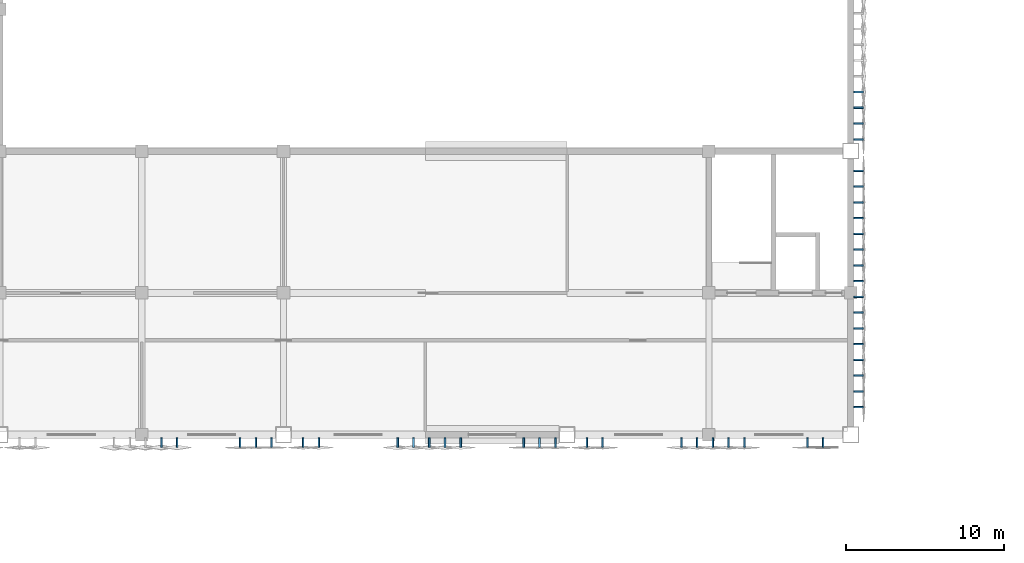
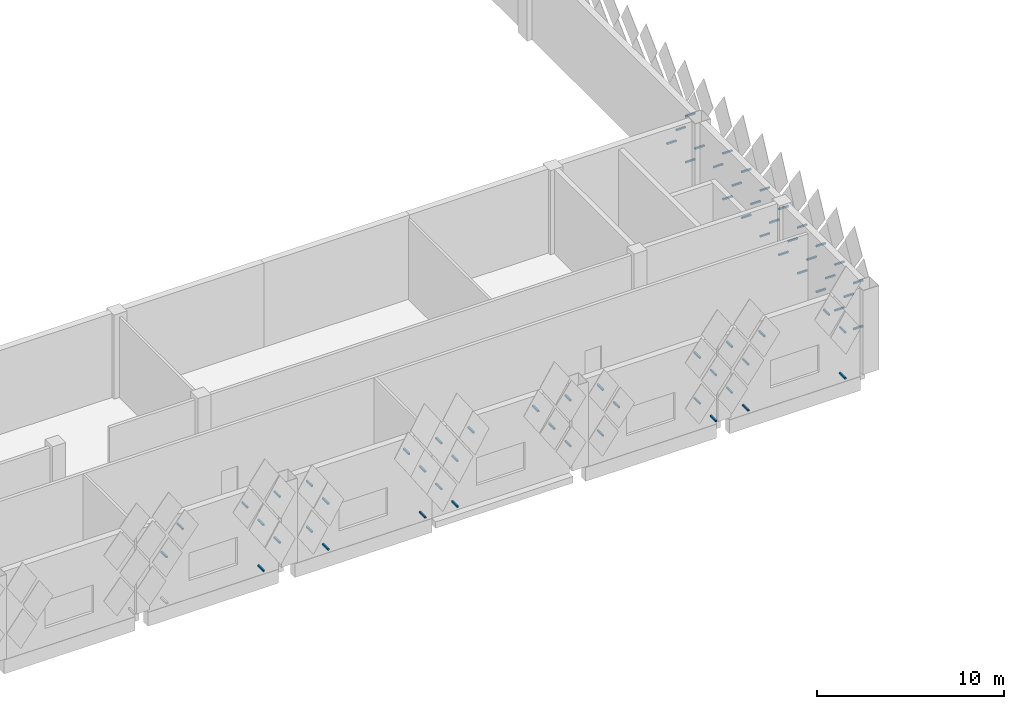
# One storey, part 142 of 185: 67 discrete accessories.
"""IFC4 building model written with IfcOpenShell, lengths in metres."""

from ifc_helpers import new_model, si_unit, direction, frame, origin, place, context, subcontext, project, spatial, polyline, outline, extrude, material, type_object, element, save


model = new_model("IFC4")

# Units and contexts
model_context = context("Model", 3, precision=1e-05, world=origin(), true_north=direction((0.0, 1.0)))
body_context = subcontext(model_context, "Body", "Model", "MODEL_VIEW")
ifc_project = project(units=[si_unit("LENGTHUNIT", "METRE"), si_unit("AREAUNIT", "SQUARE_METRE"), si_unit("VOLUMEUNIT", "CUBIC_METRE"), si_unit("PLANEANGLEUNIT", "RADIAN"), si_unit("MASSUNIT", "GRAM", prefix="KILO")], contexts=[model_context])

# Site, building, storey
site_placement = place(None, origin())
site = spatial("IfcSite", under=ifc_project, at=site_placement, CompositionType="ELEMENT")
building_placement = place(site_placement, origin())
building = spatial("IfcBuilding", under=site, at=building_placement, Name="Opaline Strait Convention Centre", CompositionType="ELEMENT")
storey_placement = place(building_placement, frame((0.0, 0.0, 6.0)))
storey = spatial("IfcBuildingStorey", under=building, at=storey_placement, Name="L01", CompositionType="ELEMENT", Elevation=6.0)

# Discrete accessories
ifc_material = material(Name="Steel Q355B", Category="steel")
discrete_accessory_type = type_object("IfcDiscreteAccessoryType", Name="Tile bracket 100x100 steel", PredefinedType="BRACKET", material=ifc_material)
discrete_accessory_1_placement = place(storey_placement, frame((223.199951171875, 53.800048828125, 0.39208984375), z_axis=(1.0, 0.0, 0.0), x_axis=(0.0, 1.0, 0.0)))
element("IfcDiscreteAccessory", 1, at=discrete_accessory_1_placement, inside=storey, type_object=discrete_accessory_type, Name="Tile bracket XT05 S", PredefinedType="BRACKET", context=body_context, shape_type="SweptSolid", body=[
    extrude(outline(polyline([(0.0, -0.050048828125), (0.0, 0.050048828125), (-0.597900390625, 0.050048828125), (-0.602294921875, -0.050048828125), (0.0, -0.050048828125)])), origin(), (0.0, 0.0, 1.0), 0.10009765625),
])
discrete_accessory_2_placement = place(storey_placement, frame((227.199951171875, 53.800048828125, 0.39208984375), z_axis=(1.0, 0.0, 0.0), x_axis=(0.0, 1.0, 0.0)))
element("IfcDiscreteAccessory", 2, at=discrete_accessory_2_placement, inside=storey, type_object=discrete_accessory_type, Name="Tile bracket XT12 S", PredefinedType="BRACKET", context=body_context, shape_type="SweptSolid", body=[
    extrude(outline(polyline([(0.0, -0.050048828125), (0.0, 0.050048828125), (-0.5947265625, 0.050048828125), (-0.605224609375, -0.050048828125), (0.0, -0.050048828125)])), origin(), (0.0, 0.0, 1.0), 0.10009765625),
])
discrete_accessory_3_placement = place(storey_placement, frame((233.199951171875, 53.800048828125, 0.39208984375), z_axis=(1.0, 0.0, 0.0), x_axis=(0.0, 1.0, 0.0)))
element("IfcDiscreteAccessory", 3, at=discrete_accessory_3_placement, inside=storey, type_object=discrete_accessory_type, Name="Tile bracket XT10 S", PredefinedType="BRACKET", context=body_context, shape_type="SweptSolid", body=[
    extrude(outline(polyline([(0.0, -0.050048828125), (0.0, 0.050048828125), (-0.595703125, 0.050048828125), (-0.604248046875, -0.050048828125), (0.0, -0.050048828125)])), origin(), (0.0, 0.0, 1.0), 0.10009765625),
])
discrete_accessory_4_placement = place(storey_placement, frame((235.199951171875, 53.800048828125, 0.39208984375), z_axis=(1.0, 0.0, 0.0), x_axis=(0.0, 1.0, 0.0)))
element("IfcDiscreteAccessory", 4, at=discrete_accessory_4_placement, inside=storey, type_object=discrete_accessory_type, Name="Tile bracket XT06 S", PredefinedType="BRACKET", context=body_context, shape_type="SweptSolid", body=[
    extrude(outline(polyline([(0.0, -0.050048828125), (0.0, 0.050048828125), (-0.597412109375, 0.050048828125), (-0.6025390625, -0.050048828125), (0.0, -0.050048828125)])), origin(), (0.0, 0.0, 1.0), 0.10009765625),
])
discrete_accessory_5_placement = place(storey_placement, frame((251.199951171875, 53.800048828125, 0.39208984375), z_axis=(1.0, 0.0, 0.0), x_axis=(0.0, 1.0, 0.0)))
element("IfcDiscreteAccessory", 5, at=discrete_accessory_5_placement, inside=storey, type_object=discrete_accessory_type, Name="Tile bracket XT07 S", PredefinedType="BRACKET", context=body_context, shape_type="SweptSolid", body=[
    extrude(outline(polyline([(0.0, -0.050048828125), (0.0, 0.050048828125), (-0.60302734375, 0.050048828125), (-0.596923828125, -0.050048828125), (0.0, -0.050048828125)])), origin(), (0.0, 0.0, 1.0), 0.10009765625),
])
discrete_accessory_6_placement = place(storey_placement, frame((253.199951171875, 53.800048828125, 0.39208984375), z_axis=(1.0, 0.0, 0.0), x_axis=(0.0, 1.0, 0.0)))
element("IfcDiscreteAccessory", 6, at=discrete_accessory_6_placement, inside=storey, type_object=discrete_accessory_type, Name="Tile bracket XT05 S", PredefinedType="BRACKET", context=body_context, shape_type="SweptSolid", body=[
    extrude(outline(polyline([(0.0, -0.050048828125), (0.0, 0.050048828125), (-0.602294921875, 0.050048828125), (-0.597900390625, -0.050048828125), (0.0, -0.050048828125)])), origin(), (0.0, 0.0, 1.0), 0.10009765625),
])
discrete_accessory_7_placement = place(storey_placement, frame((259.199951171875, 53.800048828125, 0.39208984375), z_axis=(1.0, 0.0, 0.0), x_axis=(0.0, 1.0, 0.0)))
element("IfcDiscreteAccessory", 7, at=discrete_accessory_7_placement, inside=storey, type_object=discrete_accessory_type, Name="Tile bracket XT02 S", PredefinedType="BRACKET", context=body_context, shape_type="SweptSolid", body=[
    extrude(outline(polyline([(0.0, -0.050048828125), (0.0, 0.050048828125), (-0.59912109375, 0.050048828125), (-0.600830078125, -0.050048828125), (0.0, -0.050048828125)])), origin(), (0.0, 0.0, 1.0), 0.10009765625),
])
discrete_accessory_8_placement = place(storey_placement, frame((224.199951171875, 53.800048828125, 1.89208984375), z_axis=(1.0, 0.0, 0.0), x_axis=(0.0, 1.0, 0.0)))
element("IfcDiscreteAccessory", 8, at=discrete_accessory_8_placement, inside=storey, type_object=discrete_accessory_type, Name="Tile bracket XT05 S", PredefinedType="BRACKET", context=body_context, shape_type="SweptSolid", body=[
    extrude(outline(polyline([(0.0, -0.050048828125), (0.0, 0.050048828125), (-0.597900390625, 0.050048828125), (-0.602294921875, -0.050048828125), (0.0, -0.050048828125)])), origin(), (0.0, 0.0, 1.0), 0.10009765625),
])
for number, where, z_axis, x_axis, name in (
    (9, (226.199951171875, 53.800048828125, 1.89208984375), (1.0, 0.0, 0.0), (0.0, 1.0, 0.0), "Tile bracket XT09 S"),
    (10, (234.199951171875, 53.800048828125, 1.89208984375), (1.0, 0.0, 0.0), (0.0, 1.0, 0.0), "Tile bracket XT09 S"),
):
    element("IfcDiscreteAccessory", number, at=place(storey_placement, frame(where, z_axis=z_axis, x_axis=x_axis)), inside=storey, type_object=discrete_accessory_type, Name=name, PredefinedType="BRACKET", context=body_context, shape_type="SweptSolid", body=[
        extrude(outline(polyline([(0.0, -0.050048828125), (0.0, 0.050048828125), (-0.595947265625, 0.050048828125), (-0.60400390625, -0.050048828125), (0.0, -0.050048828125)])), origin(), (0.0, 0.0, 1.0), 0.10009765625),
    ])
discrete_accessory_9_placement = place(storey_placement, frame((242.199951171875, 53.800048828125, 1.89208984375), z_axis=(1.0, 0.0, 0.0), x_axis=(0.0, 1.0, 0.0)))
element("IfcDiscreteAccessory", 11, at=discrete_accessory_9_placement, inside=storey, type_object=discrete_accessory_type, Name="Tile bracket XT04 S", PredefinedType="BRACKET", context=body_context, shape_type="SweptSolid", body=[
    extrude(outline(polyline([(0.0, -0.050048828125), (0.0, 0.050048828125), (-0.601806640625, 0.050048828125), (-0.59814453125, -0.050048828125), (0.0, -0.050048828125)])), origin(), (0.0, 0.0, 1.0), 0.10009765625),
])
discrete_accessory_10_placement = place(storey_placement, frame((244.199951171875, 53.800048828125, 1.89208984375), z_axis=(1.0, 0.0, 0.0), x_axis=(0.0, 1.0, 0.0)))
element("IfcDiscreteAccessory", 12, at=discrete_accessory_10_placement, inside=storey, type_object=discrete_accessory_type, Name="Tile bracket XT07 S", PredefinedType="BRACKET", context=body_context, shape_type="SweptSolid", body=[
    extrude(outline(polyline([(0.0, -0.050048828125), (0.0, 0.050048828125), (-0.60302734375, 0.050048828125), (-0.596923828125, -0.050048828125), (0.0, -0.050048828125)])), origin(), (0.0, 0.0, 1.0), 0.10009765625),
])
discrete_accessory_11_placement = place(storey_placement, frame((250.199951171875, 53.800048828125, 1.89208984375), z_axis=(1.0, 0.0, 0.0), x_axis=(0.0, 1.0, 0.0)))
element("IfcDiscreteAccessory", 13, at=discrete_accessory_11_placement, inside=storey, type_object=discrete_accessory_type, Name="Tile bracket XT08 S", PredefinedType="BRACKET", context=body_context, shape_type="SweptSolid", body=[
    extrude(outline(polyline([(0.0, -0.050048828125), (0.0, 0.050048828125), (-0.603515625, 0.050048828125), (-0.596435546875, -0.050048828125), (0.0, -0.050048828125)])), origin(), (0.0, 0.0, 1.0), 0.10009765625),
])
discrete_accessory_12_placement = place(storey_placement, frame((252.199951171875, 53.800048828125, 1.89208984375), z_axis=(1.0, 0.0, 0.0), x_axis=(0.0, 1.0, 0.0)))
element("IfcDiscreteAccessory", 14, at=discrete_accessory_12_placement, inside=storey, type_object=discrete_accessory_type, Name="Tile bracket XT07 S", PredefinedType="BRACKET", context=body_context, shape_type="SweptSolid", body=[
    extrude(outline(polyline([(0.0, -0.050048828125), (0.0, 0.050048828125), (-0.60302734375, 0.050048828125), (-0.596923828125, -0.050048828125), (0.0, -0.050048828125)])), origin(), (0.0, 0.0, 1.0), 0.10009765625),
])
discrete_accessory_13_placement = place(storey_placement, frame((217.199951171875, 53.800048828125, 3.39208984375), z_axis=(1.0, 0.0, 0.0), x_axis=(0.0, 1.0, 0.0)))
element("IfcDiscreteAccessory", 15, at=discrete_accessory_13_placement, inside=storey, type_object=discrete_accessory_type, Name="Tile bracket XT12 S", PredefinedType="BRACKET", context=body_context, shape_type="SweptSolid", body=[
    extrude(outline(polyline([(0.0, -0.050048828125), (0.0, 0.050048828125), (-0.605224609375, 0.050048828125), (-0.5947265625, -0.050048828125), (0.0, -0.050048828125)])), origin(), (0.0, 0.0, 1.0), 0.10009765625),
])
discrete_accessory_14_placement = place(storey_placement, frame((223.199951171875, 53.800048828125, 3.39208984375), z_axis=(1.0, 0.0, 0.0), x_axis=(0.0, 1.0, 0.0)))
element("IfcDiscreteAccessory", 16, at=discrete_accessory_14_placement, inside=storey, type_object=discrete_accessory_type, Name="Tile bracket XT05 S", PredefinedType="BRACKET", context=body_context, shape_type="SweptSolid", body=[
    extrude(outline(polyline([(0.0, -0.050048828125), (0.0, 0.050048828125), (-0.597900390625, 0.050048828125), (-0.602294921875, -0.050048828125), (0.0, -0.050048828125)])), origin(), (0.0, 0.0, 1.0), 0.10009765625),
])
discrete_accessory_15_placement = place(storey_placement, frame((227.199951171875, 53.800048828125, 3.39208984375), z_axis=(1.0, 0.0, 0.0), x_axis=(0.0, 1.0, 0.0)))
element("IfcDiscreteAccessory", 17, at=discrete_accessory_15_placement, inside=storey, type_object=discrete_accessory_type, Name="Tile bracket XT09 S", PredefinedType="BRACKET", context=body_context, shape_type="SweptSolid", body=[
    extrude(outline(polyline([(0.0, -0.050048828125), (0.0, 0.050048828125), (-0.595947265625, 0.050048828125), (-0.60400390625, -0.050048828125), (0.0, -0.050048828125)])), origin(), (0.0, 0.0, 1.0), 0.10009765625),
])
discrete_accessory_16_placement = place(storey_placement, frame((233.199951171875, 53.800048828125, 3.39208984375), z_axis=(1.0, 0.0, 0.0), x_axis=(0.0, 1.0, 0.0)))
element("IfcDiscreteAccessory", 18, at=discrete_accessory_16_placement, inside=storey, type_object=discrete_accessory_type, Name="Tile bracket XT12 S", PredefinedType="BRACKET", context=body_context, shape_type="SweptSolid", body=[
    extrude(outline(polyline([(0.0, -0.050048828125), (0.0, 0.050048828125), (-0.5947265625, 0.050048828125), (-0.605224609375, -0.050048828125), (0.0, -0.050048828125)])), origin(), (0.0, 0.0, 1.0), 0.10009765625),
])
discrete_accessory_17_placement = place(storey_placement, frame((235.199951171875, 53.800048828125, 3.39208984375), z_axis=(1.0, 0.0, 0.0), x_axis=(0.0, 1.0, 0.0)))
element("IfcDiscreteAccessory", 19, at=discrete_accessory_17_placement, inside=storey, type_object=discrete_accessory_type, Name="Tile bracket XT09 S", PredefinedType="BRACKET", context=body_context, shape_type="SweptSolid", body=[
    extrude(outline(polyline([(0.0, -0.050048828125), (0.0, 0.050048828125), (-0.595947265625, 0.050048828125), (-0.60400390625, -0.050048828125), (0.0, -0.050048828125)])), origin(), (0.0, 0.0, 1.0), 0.10009765625),
])
discrete_accessory_18_placement = place(storey_placement, frame((241.199951171875, 53.800048828125, 3.39208984375), z_axis=(1.0, 0.0, 0.0), x_axis=(0.0, 1.0, 0.0)))
element("IfcDiscreteAccessory", 20, at=discrete_accessory_18_placement, inside=storey, type_object=discrete_accessory_type, Name="Tile bracket XT04 S", PredefinedType="BRACKET", context=body_context, shape_type="SweptSolid", body=[
    extrude(outline(polyline([(0.0, -0.050048828125), (0.0, 0.050048828125), (-0.601806640625, 0.050048828125), (-0.59814453125, -0.050048828125), (0.0, -0.050048828125)])), origin(), (0.0, 0.0, 1.0), 0.10009765625),
])
discrete_accessory_19_placement = place(storey_placement, frame((245.199951171875, 53.800048828125, 3.39208984375), z_axis=(1.0, 0.0, 0.0), x_axis=(0.0, 1.0, 0.0)))
element("IfcDiscreteAccessory", 21, at=discrete_accessory_19_placement, inside=storey, type_object=discrete_accessory_type, Name="Tile bracket XT06 S", PredefinedType="BRACKET", context=body_context, shape_type="SweptSolid", body=[
    extrude(outline(polyline([(0.0, -0.050048828125), (0.0, 0.050048828125), (-0.6025390625, 0.050048828125), (-0.597412109375, -0.050048828125), (0.0, -0.050048828125)])), origin(), (0.0, 0.0, 1.0), 0.10009765625),
])
discrete_accessory_20_placement = place(storey_placement, frame((251.199951171875, 53.800048828125, 3.39208984375), z_axis=(1.0, 0.0, 0.0), x_axis=(0.0, 1.0, 0.0)))
element("IfcDiscreteAccessory", 22, at=discrete_accessory_20_placement, inside=storey, type_object=discrete_accessory_type, Name="Tile bracket XT08 S", PredefinedType="BRACKET", context=body_context, shape_type="SweptSolid", body=[
    extrude(outline(polyline([(0.0, -0.050048828125), (0.0, 0.050048828125), (-0.603515625, 0.050048828125), (-0.596435546875, -0.050048828125), (0.0, -0.050048828125)])), origin(), (0.0, 0.0, 1.0), 0.10009765625),
])
discrete_accessory_21_placement = place(storey_placement, frame((253.199951171875, 53.800048828125, 3.39208984375), z_axis=(1.0, 0.0, 0.0), x_axis=(0.0, 1.0, 0.0)))
element("IfcDiscreteAccessory", 23, at=discrete_accessory_21_placement, inside=storey, type_object=discrete_accessory_type, Name="Tile bracket XT07 S", PredefinedType="BRACKET", context=body_context, shape_type="SweptSolid", body=[
    extrude(outline(polyline([(0.0, -0.050048828125), (0.0, 0.050048828125), (-0.60302734375, 0.050048828125), (-0.596923828125, -0.050048828125), (0.0, -0.050048828125)])), origin(), (0.0, 0.0, 1.0), 0.10009765625),
])
discrete_accessory_22_placement = place(storey_placement, frame((259.199951171875, 53.800048828125, 3.39208984375), z_axis=(1.0, 0.0, 0.0), x_axis=(0.0, 1.0, 0.0)))
element("IfcDiscreteAccessory", 24, at=discrete_accessory_22_placement, inside=storey, type_object=discrete_accessory_type, Name="Tile bracket XT02 S", PredefinedType="BRACKET", context=body_context, shape_type="SweptSolid", body=[
    extrude(outline(polyline([(0.0, -0.050048828125), (0.0, 0.050048828125), (-0.59912109375, 0.050048828125), (-0.600830078125, -0.050048828125), (0.0, -0.050048828125)])), origin(), (0.0, 0.0, 1.0), 0.10009765625),
])
discrete_accessory_23_placement = place(storey_placement, frame((218.199951171875, 53.800048828125, 4.89208984375), z_axis=(1.0, 0.0, 0.0), x_axis=(0.0, 1.0, 0.0)))
element("IfcDiscreteAccessory", 25, at=discrete_accessory_23_placement, inside=storey, type_object=discrete_accessory_type, Name="Tile bracket XT12 S", PredefinedType="BRACKET", context=body_context, shape_type="SweptSolid", body=[
    extrude(outline(polyline([(0.0, -0.050048828125), (0.0, 0.050048828125), (-0.605224609375, 0.050048828125), (-0.5947265625, -0.050048828125), (0.0, -0.050048828125)])), origin(), (0.0, 0.0, 1.0), 0.10009765625),
])
discrete_accessory_24_placement = place(storey_placement, frame((222.199951171875, 53.800048828125, 4.89208984375), z_axis=(1.0, 0.0, 0.0), x_axis=(0.0, 1.0, 0.0)))
element("IfcDiscreteAccessory", 26, at=discrete_accessory_24_placement, inside=storey, type_object=discrete_accessory_type, Name="Tile bracket XT05 S", PredefinedType="BRACKET", context=body_context, shape_type="SweptSolid", body=[
    extrude(outline(polyline([(0.0, -0.050048828125), (0.0, 0.050048828125), (-0.602294921875, 0.050048828125), (-0.597900390625, -0.050048828125), (0.0, -0.050048828125)])), origin(), (0.0, 0.0, 1.0), 0.10009765625),
])
for number, where, z_axis, x_axis, name in (
    (27, (224.199951171875, 53.800048828125, 4.89208984375), (1.0, 0.0, 0.0), (0.0, 1.0, 0.0), "Tile bracket XT05 S"),
    (28, (226.199951171875, 53.800048828125, 4.89208984375), (1.0, 0.0, 0.0), (0.0, 1.0, 0.0), "Tile bracket XT05 S"),
):
    element("IfcDiscreteAccessory", number, at=place(storey_placement, frame(where, z_axis=z_axis, x_axis=x_axis)), inside=storey, type_object=discrete_accessory_type, Name=name, PredefinedType="BRACKET", context=body_context, shape_type="SweptSolid", body=[
        extrude(outline(polyline([(0.0, -0.050048828125), (0.0, 0.050048828125), (-0.597900390625, 0.050048828125), (-0.602294921875, -0.050048828125), (0.0, -0.050048828125)])), origin(), (0.0, 0.0, 1.0), 0.10009765625),
    ])
discrete_accessory_25_placement = place(storey_placement, frame((232.199951171875, 53.800048828125, 4.89208984375), z_axis=(1.0, 0.0, 0.0), x_axis=(0.0, 1.0, 0.0)))
element("IfcDiscreteAccessory", 29, at=discrete_accessory_25_placement, inside=storey, type_object=discrete_accessory_type, Name="Tile bracket XT12 S", PredefinedType="BRACKET", context=body_context, shape_type="SweptSolid", body=[
    extrude(outline(polyline([(0.0, -0.050048828125), (0.0, 0.050048828125), (-0.5947265625, 0.050048828125), (-0.605224609375, -0.050048828125), (0.0, -0.050048828125)])), origin(), (0.0, 0.0, 1.0), 0.10009765625),
])
discrete_accessory_26_placement = place(storey_placement, frame((234.199951171875, 53.800048828125, 4.89208984375), z_axis=(1.0, 0.0, 0.0), x_axis=(0.0, 1.0, 0.0)))
element("IfcDiscreteAccessory", 30, at=discrete_accessory_26_placement, inside=storey, type_object=discrete_accessory_type, Name="Tile bracket XT11 S", PredefinedType="BRACKET", context=body_context, shape_type="SweptSolid", body=[
    extrude(outline(polyline([(0.0, -0.050048828125), (0.0, 0.050048828125), (-0.59521484375, 0.050048828125), (-0.604736328125, -0.050048828125), (0.0, -0.050048828125)])), origin(), (0.0, 0.0, 1.0), 0.10009765625),
])
discrete_accessory_27_placement = place(storey_placement, frame((236.199951171875, 53.800048828125, 4.89208984375), z_axis=(1.0, 0.0, 0.0), x_axis=(0.0, 1.0, 0.0)))
element("IfcDiscreteAccessory", 31, at=discrete_accessory_27_placement, inside=storey, type_object=discrete_accessory_type, Name="Tile bracket XT09 S", PredefinedType="BRACKET", context=body_context, shape_type="SweptSolid", body=[
    extrude(outline(polyline([(0.0, -0.050048828125), (0.0, 0.050048828125), (-0.595947265625, 0.050048828125), (-0.60400390625, -0.050048828125), (0.0, -0.050048828125)])), origin(), (0.0, 0.0, 1.0), 0.10009765625),
])
discrete_accessory_28_placement = place(storey_placement, frame((240.199951171875, 53.800048828125, 4.89208984375), z_axis=(1.0, 0.0, 0.0), x_axis=(0.0, 1.0, 0.0)))
element("IfcDiscreteAccessory", 32, at=discrete_accessory_28_placement, inside=storey, type_object=discrete_accessory_type, Name="Tile bracket XT04 S", PredefinedType="BRACKET", context=body_context, shape_type="SweptSolid", body=[
    extrude(outline(polyline([(0.0, -0.050048828125), (0.0, 0.050048828125), (-0.59814453125, 0.050048828125), (-0.601806640625, -0.050048828125), (0.0, -0.050048828125)])), origin(), (0.0, 0.0, 1.0), 0.10009765625),
])
for number, where, z_axis, x_axis, name in (
    (33, (242.199951171875, 53.800048828125, 4.89208984375), (1.0, 0.0, 0.0), (0.0, 1.0, 0.0), "Tile bracket XT04 S"),
    (34, (244.199951171875, 53.800048828125, 4.89208984375), (1.0, 0.0, 0.0), (0.0, 1.0, 0.0), "Tile bracket XT04 S"),
):
    element("IfcDiscreteAccessory", number, at=place(storey_placement, frame(where, z_axis=z_axis, x_axis=x_axis)), inside=storey, type_object=discrete_accessory_type, Name=name, PredefinedType="BRACKET", context=body_context, shape_type="SweptSolid", body=[
        extrude(outline(polyline([(0.0, -0.050048828125), (0.0, 0.050048828125), (-0.601806640625, 0.050048828125), (-0.59814453125, -0.050048828125), (0.0, -0.050048828125)])), origin(), (0.0, 0.0, 1.0), 0.10009765625),
    ])
for number, where, z_axis, x_axis, name in (
    (35, (250.199951171875, 53.800048828125, 4.89208984375), (1.0, 0.0, 0.0), (0.0, 1.0, 0.0), "Tile bracket XT08 S"),
    (36, (252.199951171875, 53.800048828125, 4.89208984375), (1.0, 0.0, 0.0), (0.0, 1.0, 0.0), "Tile bracket XT08 S"),
):
    element("IfcDiscreteAccessory", number, at=place(storey_placement, frame(where, z_axis=z_axis, x_axis=x_axis)), inside=storey, type_object=discrete_accessory_type, Name=name, PredefinedType="BRACKET", context=body_context, shape_type="SweptSolid", body=[
        extrude(outline(polyline([(0.0, -0.050048828125), (0.0, 0.050048828125), (-0.603515625, 0.050048828125), (-0.596435546875, -0.050048828125), (0.0, -0.050048828125)])), origin(), (0.0, 0.0, 1.0), 0.10009765625),
    ])
discrete_accessory_29_placement = place(storey_placement, frame((254.199951171875, 53.800048828125, 4.89208984375), z_axis=(1.0, 0.0, 0.0), x_axis=(0.0, 1.0, 0.0)))
element("IfcDiscreteAccessory", 37, at=discrete_accessory_29_placement, inside=storey, type_object=discrete_accessory_type, Name="Tile bracket XT06 S", PredefinedType="BRACKET", context=body_context, shape_type="SweptSolid", body=[
    extrude(outline(polyline([(0.0, -0.050048828125), (0.0, 0.050048828125), (-0.6025390625, 0.050048828125), (-0.597412109375, -0.050048828125), (0.0, -0.050048828125)])), origin(), (0.0, 0.0, 1.0), 0.10009765625),
])
discrete_accessory_30_placement = place(storey_placement, frame((258.199951171875, 53.800048828125, 4.89208984375), z_axis=(1.0, 0.0, 0.0), x_axis=(0.0, 1.0, 0.0)))
element("IfcDiscreteAccessory", 38, at=discrete_accessory_30_placement, inside=storey, type_object=discrete_accessory_type, Name="Tile bracket XT02 S", PredefinedType="BRACKET", context=body_context, shape_type="SweptSolid", body=[
    extrude(outline(polyline([(0.0, -0.050048828125), (0.0, 0.050048828125), (-0.600830078125, 0.050048828125), (-0.59912109375, -0.050048828125), (0.0, -0.050048828125)])), origin(), (0.0, 0.0, 1.0), 0.10009765625),
])
discrete_accessory_31_placement = place(storey_placement, frame((261.199951171875, 55.699951171875, 1.39208984375), z_axis=(0.0, 1.0, 0.0), x_axis=(-1.0, 0.0, 0.0)))
element("IfcDiscreteAccessory", 39, at=discrete_accessory_31_placement, inside=storey, type_object=discrete_accessory_type, Name="Tile bracket XT06 E", PredefinedType="BRACKET", context=body_context, shape_type="SweptSolid", body=[
    extrude(outline(polyline([(0.0, -0.050048828125), (0.0, 0.050048828125), (-0.6025390625, 0.050048828125), (-0.597412109375, -0.050048828125), (0.0, -0.050048828125)])), origin(), (0.0, 0.0, 1.0), 0.10009765625),
])
discrete_accessory_32_placement = place(storey_placement, frame((261.199951171875, 57.699951171875, 1.39208984375), z_axis=(0.0, 1.0, 0.0), x_axis=(-1.0, 0.0, 0.0)))
element("IfcDiscreteAccessory", 40, at=discrete_accessory_32_placement, inside=storey, type_object=discrete_accessory_type, Name="Tile bracket XT07 E", PredefinedType="BRACKET", context=body_context, shape_type="SweptSolid", body=[
    extrude(outline(polyline([(0.0, -0.050048828125), (0.0, 0.050048828125), (-0.60302734375, 0.050048828125), (-0.596923828125, -0.050048828125), (0.0, -0.050048828125)])), origin(), (0.0, 0.0, 1.0), 0.10009765625),
])
for number, where, z_axis, x_axis, name in (
    (41, (261.199951171875, 59.699951171875, 1.39208984375), (0.0, 1.0, 0.0), (-1.0, 0.0, 0.0), "Tile bracket XT08 E"),
    (42, (261.199951171875, 61.699951171875, 1.39208984375), (0.0, 1.0, 0.0), (-1.0, 0.0, 0.0), "Tile bracket XT08 E"),
):
    element("IfcDiscreteAccessory", number, at=place(storey_placement, frame(where, z_axis=z_axis, x_axis=x_axis)), inside=storey, type_object=discrete_accessory_type, Name=name, PredefinedType="BRACKET", context=body_context, shape_type="SweptSolid", body=[
        extrude(outline(polyline([(0.0, -0.050048828125), (0.0, 0.050048828125), (-0.603515625, 0.050048828125), (-0.596435546875, -0.050048828125), (0.0, -0.050048828125)])), origin(), (0.0, 0.0, 1.0), 0.10009765625),
    ])
discrete_accessory_33_placement = place(storey_placement, frame((261.199951171875, 63.699951171875, 1.39208984375), z_axis=(0.0, 1.0, 0.0), x_axis=(-1.0, 0.0, 0.0)))
element("IfcDiscreteAccessory", 43, at=discrete_accessory_33_placement, inside=storey, type_object=discrete_accessory_type, Name="Tile bracket XT07 E", PredefinedType="BRACKET", context=body_context, shape_type="SweptSolid", body=[
    extrude(outline(polyline([(0.0, -0.050048828125), (0.0, 0.050048828125), (-0.60302734375, 0.050048828125), (-0.596923828125, -0.050048828125), (0.0, -0.050048828125)])), origin(), (0.0, 0.0, 1.0), 0.10009765625),
])
discrete_accessory_34_placement = place(storey_placement, frame((261.199951171875, 65.699951171875, 1.39208984375), z_axis=(0.0, 1.0, 0.0), x_axis=(-1.0, 0.0, 0.0)))
element("IfcDiscreteAccessory", 44, at=discrete_accessory_34_placement, inside=storey, type_object=discrete_accessory_type, Name="Tile bracket XT05 E", PredefinedType="BRACKET", context=body_context, shape_type="SweptSolid", body=[
    extrude(outline(polyline([(0.0, -0.050048828125), (0.0, 0.050048828125), (-0.602294921875, 0.050048828125), (-0.597900390625, -0.050048828125), (0.0, -0.050048828125)])), origin(), (0.0, 0.0, 1.0), 0.10009765625),
])
discrete_accessory_35_placement = place(storey_placement, frame((261.199951171875, 67.699951171875, 1.39208984375), z_axis=(0.0, 1.0, 0.0), x_axis=(-1.0, 0.0, 0.0)))
element("IfcDiscreteAccessory", 45, at=discrete_accessory_35_placement, inside=storey, type_object=discrete_accessory_type, Name="Tile bracket XT04 E", PredefinedType="BRACKET", context=body_context, shape_type="SweptSolid", body=[
    extrude(outline(polyline([(0.0, -0.050048828125), (0.0, 0.050048828125), (-0.601806640625, 0.050048828125), (-0.59814453125, -0.050048828125), (0.0, -0.050048828125)])), origin(), (0.0, 0.0, 1.0), 0.10009765625),
])
discrete_accessory_36_placement = place(storey_placement, frame((261.199951171875, 69.699951171875, 1.39208984375), z_axis=(0.0, 1.0, 0.0), x_axis=(-1.0, 0.0, 0.0)))
element("IfcDiscreteAccessory", 46, at=discrete_accessory_36_placement, inside=storey, type_object=discrete_accessory_type, Name="Tile bracket XT04 E", PredefinedType="BRACKET", context=body_context, shape_type="SweptSolid", body=[
    extrude(outline(polyline([(0.0, -0.050048828125), (0.0, 0.050048828125), (-0.59814453125, 0.050048828125), (-0.601806640625, -0.050048828125), (0.0, -0.050048828125)])), origin(), (0.0, 0.0, 1.0), 0.10009765625),
])
discrete_accessory_37_placement = place(storey_placement, frame((261.199951171875, 73.699951171875, 1.39208984375), z_axis=(0.0, 1.0, 0.0), x_axis=(-1.0, 0.0, 0.0)))
element("IfcDiscreteAccessory", 47, at=discrete_accessory_37_placement, inside=storey, type_object=discrete_accessory_type, Name="Tile bracket XT09 E", PredefinedType="BRACKET", context=body_context, shape_type="SweptSolid", body=[
    extrude(outline(polyline([(0.0, -0.050048828125), (0.0, 0.050048828125), (-0.595947265625, 0.050048828125), (-0.60400390625, -0.050048828125), (0.0, -0.050048828125)])), origin(), (0.0, 0.0, 1.0), 0.10009765625),
])
discrete_accessory_38_placement = place(storey_placement, frame((261.199951171875, 75.699951171875, 1.39208984375), z_axis=(0.0, 1.0, 0.0), x_axis=(-1.0, 0.0, 0.0)))
element("IfcDiscreteAccessory", 48, at=discrete_accessory_38_placement, inside=storey, type_object=discrete_accessory_type, Name="Tile bracket XT12 E", PredefinedType="BRACKET", context=body_context, shape_type="SweptSolid", body=[
    extrude(outline(polyline([(0.0, -0.050048828125), (0.0, 0.050048828125), (-0.5947265625, 0.050048828125), (-0.605224609375, -0.050048828125), (0.0, -0.050048828125)])), origin(), (0.0, 0.0, 1.0), 0.10009765625),
])
discrete_accessory_39_placement = place(storey_placement, frame((261.199951171875, 56.699951171875, 2.89208984375), z_axis=(0.0, 1.0, 0.0), x_axis=(-1.0, 0.0, 0.0)))
element("IfcDiscreteAccessory", 49, at=discrete_accessory_39_placement, inside=storey, type_object=discrete_accessory_type, Name="Tile bracket XT05 E", PredefinedType="BRACKET", context=body_context, shape_type="SweptSolid", body=[
    extrude(outline(polyline([(0.0, -0.050048828125), (0.0, 0.050048828125), (-0.602294921875, 0.050048828125), (-0.597900390625, -0.050048828125), (0.0, -0.050048828125)])), origin(), (0.0, 0.0, 1.0), 0.10009765625),
])
for number, where, z_axis, x_axis, name in (
    (50, (261.199951171875, 58.699951171875, 2.89208984375), (0.0, 1.0, 0.0), (-1.0, 0.0, 0.0), "Tile bracket XT08 E"),
    (51, (261.199951171875, 60.699951171875, 2.89208984375), (0.0, 1.0, 0.0), (-1.0, 0.0, 0.0), "Tile bracket XT08 E"),
    (52, (261.199951171875, 62.699951171875, 2.89208984375), (0.0, 1.0, 0.0), (-1.0, 0.0, 0.0), "Tile bracket XT08 E"),
    (53, (261.199951171875, 64.699951171875, 2.89208984375), (0.0, 1.0, 0.0), (-1.0, 0.0, 0.0), "Tile bracket XT08 E"),
):
    element("IfcDiscreteAccessory", number, at=place(storey_placement, frame(where, z_axis=z_axis, x_axis=x_axis)), inside=storey, type_object=discrete_accessory_type, Name=name, PredefinedType="BRACKET", context=body_context, shape_type="SweptSolid", body=[
        extrude(outline(polyline([(0.0, -0.050048828125), (0.0, 0.050048828125), (-0.603515625, 0.050048828125), (-0.596435546875, -0.050048828125), (0.0, -0.050048828125)])), origin(), (0.0, 0.0, 1.0), 0.10009765625),
    ])
discrete_accessory_40_placement = place(storey_placement, frame((261.199951171875, 66.699951171875, 2.89208984375), z_axis=(0.0, 1.0, 0.0), x_axis=(-1.0, 0.0, 0.0)))
element("IfcDiscreteAccessory", 54, at=discrete_accessory_40_placement, inside=storey, type_object=discrete_accessory_type, Name="Tile bracket XT05 E", PredefinedType="BRACKET", context=body_context, shape_type="SweptSolid", body=[
    extrude(outline(polyline([(0.0, -0.050048828125), (0.0, 0.050048828125), (-0.602294921875, 0.050048828125), (-0.597900390625, -0.050048828125), (0.0, -0.050048828125)])), origin(), (0.0, 0.0, 1.0), 0.10009765625),
])
discrete_accessory_41_placement = place(storey_placement, frame((261.199951171875, 68.699951171875, 2.89208984375), z_axis=(0.0, 1.0, 0.0), x_axis=(-1.0, 0.0, 0.0)))
element("IfcDiscreteAccessory", 55, at=discrete_accessory_41_placement, inside=storey, type_object=discrete_accessory_type, Name="Tile bracket XT04 E", PredefinedType="BRACKET", context=body_context, shape_type="SweptSolid", body=[
    extrude(outline(polyline([(0.0, -0.050048828125), (0.0, 0.050048828125), (-0.601806640625, 0.050048828125), (-0.59814453125, -0.050048828125), (0.0, -0.050048828125)])), origin(), (0.0, 0.0, 1.0), 0.10009765625),
])
discrete_accessory_42_placement = place(storey_placement, frame((261.199951171875, 70.699951171875, 2.89208984375), z_axis=(0.0, 1.0, 0.0), x_axis=(-1.0, 0.0, 0.0)))
element("IfcDiscreteAccessory", 56, at=discrete_accessory_42_placement, inside=storey, type_object=discrete_accessory_type, Name="Tile bracket XT04 E", PredefinedType="BRACKET", context=body_context, shape_type="SweptSolid", body=[
    extrude(outline(polyline([(0.0, -0.050048828125), (0.0, 0.050048828125), (-0.59814453125, 0.050048828125), (-0.601806640625, -0.050048828125), (0.0, -0.050048828125)])), origin(), (0.0, 0.0, 1.0), 0.10009765625),
])
discrete_accessory_43_placement = place(storey_placement, frame((261.199951171875, 72.699951171875, 2.89208984375), z_axis=(0.0, 1.0, 0.0), x_axis=(-1.0, 0.0, 0.0)))
element("IfcDiscreteAccessory", 57, at=discrete_accessory_43_placement, inside=storey, type_object=discrete_accessory_type, Name="Tile bracket XT06 E", PredefinedType="BRACKET", context=body_context, shape_type="SweptSolid", body=[
    extrude(outline(polyline([(0.0, -0.050048828125), (0.0, 0.050048828125), (-0.597412109375, 0.050048828125), (-0.6025390625, -0.050048828125), (0.0, -0.050048828125)])), origin(), (0.0, 0.0, 1.0), 0.10009765625),
])
discrete_accessory_44_placement = place(storey_placement, frame((261.199951171875, 74.699951171875, 2.89208984375), z_axis=(0.0, 1.0, 0.0), x_axis=(-1.0, 0.0, 0.0)))
element("IfcDiscreteAccessory", 58, at=discrete_accessory_44_placement, inside=storey, type_object=discrete_accessory_type, Name="Tile bracket XT10 E", PredefinedType="BRACKET", context=body_context, shape_type="SweptSolid", body=[
    extrude(outline(polyline([(0.0, -0.050048828125), (0.0, 0.050048828125), (-0.595703125, 0.050048828125), (-0.604248046875, -0.050048828125), (0.0, -0.050048828125)])), origin(), (0.0, 0.0, 1.0), 0.10009765625),
])
discrete_accessory_45_placement = place(storey_placement, frame((261.199951171875, 55.699951171875, 4.39208984375), z_axis=(0.0, 1.0, 0.0), x_axis=(-1.0, 0.0, 0.0)))
element("IfcDiscreteAccessory", 59, at=discrete_accessory_45_placement, inside=storey, type_object=discrete_accessory_type, Name="Tile bracket XT03 E", PredefinedType="BRACKET", context=body_context, shape_type="SweptSolid", body=[
    extrude(outline(polyline([(0.0, -0.050048828125), (0.0, 0.050048828125), (-0.601318359375, 0.050048828125), (-0.5986328125, -0.050048828125), (0.0, -0.050048828125)])), origin(), (0.0, 0.0, 1.0), 0.10009765625),
])
discrete_accessory_46_placement = place(storey_placement, frame((261.199951171875, 57.699951171875, 4.39208984375), z_axis=(0.0, 1.0, 0.0), x_axis=(-1.0, 0.0, 0.0)))
element("IfcDiscreteAccessory", 60, at=discrete_accessory_46_placement, inside=storey, type_object=discrete_accessory_type, Name="Tile bracket XT05 E", PredefinedType="BRACKET", context=body_context, shape_type="SweptSolid", body=[
    extrude(outline(polyline([(0.0, -0.050048828125), (0.0, 0.050048828125), (-0.602294921875, 0.050048828125), (-0.597900390625, -0.050048828125), (0.0, -0.050048828125)])), origin(), (0.0, 0.0, 1.0), 0.10009765625),
])
discrete_accessory_47_placement = place(storey_placement, frame((261.199951171875, 59.699951171875, 4.39208984375), z_axis=(0.0, 1.0, 0.0), x_axis=(-1.0, 0.0, 0.0)))
element("IfcDiscreteAccessory", 61, at=discrete_accessory_47_placement, inside=storey, type_object=discrete_accessory_type, Name="Tile bracket XT07 E", PredefinedType="BRACKET", context=body_context, shape_type="SweptSolid", body=[
    extrude(outline(polyline([(0.0, -0.050048828125), (0.0, 0.050048828125), (-0.60302734375, 0.050048828125), (-0.596923828125, -0.050048828125), (0.0, -0.050048828125)])), origin(), (0.0, 0.0, 1.0), 0.10009765625),
])
discrete_accessory_48_placement = place(storey_placement, frame((261.199951171875, 61.699951171875, 4.39208984375), z_axis=(0.0, 1.0, 0.0), x_axis=(-1.0, 0.0, 0.0)))
element("IfcDiscreteAccessory", 62, at=discrete_accessory_48_placement, inside=storey, type_object=discrete_accessory_type, Name="Tile bracket XT09 E", PredefinedType="BRACKET", context=body_context, shape_type="SweptSolid", body=[
    extrude(outline(polyline([(0.0, -0.050048828125), (0.0, 0.050048828125), (-0.60400390625, 0.050048828125), (-0.595947265625, -0.050048828125), (0.0, -0.050048828125)])), origin(), (0.0, 0.0, 1.0), 0.10009765625),
])
for number, where, z_axis, x_axis, name in (
    (63, (261.199951171875, 63.699951171875, 4.39208984375), (0.0, 1.0, 0.0), (-1.0, 0.0, 0.0), "Tile bracket XT08 E"),
    (64, (261.199951171875, 65.699951171875, 4.39208984375), (0.0, 1.0, 0.0), (-1.0, 0.0, 0.0), "Tile bracket XT08 E"),
):
    element("IfcDiscreteAccessory", number, at=place(storey_placement, frame(where, z_axis=z_axis, x_axis=x_axis)), inside=storey, type_object=discrete_accessory_type, Name=name, PredefinedType="BRACKET", context=body_context, shape_type="SweptSolid", body=[
        extrude(outline(polyline([(0.0, -0.050048828125), (0.0, 0.050048828125), (-0.603515625, 0.050048828125), (-0.596435546875, -0.050048828125), (0.0, -0.050048828125)])), origin(), (0.0, 0.0, 1.0), 0.10009765625),
    ])
discrete_accessory_49_placement = place(storey_placement, frame((261.199951171875, 67.699951171875, 4.39208984375), z_axis=(0.0, 1.0, 0.0), x_axis=(-1.0, 0.0, 0.0)))
element("IfcDiscreteAccessory", 65, at=discrete_accessory_49_placement, inside=storey, type_object=discrete_accessory_type, Name="Tile bracket XT06 E", PredefinedType="BRACKET", context=body_context, shape_type="SweptSolid", body=[
    extrude(outline(polyline([(0.0, -0.050048828125), (0.0, 0.050048828125), (-0.6025390625, 0.050048828125), (-0.597412109375, -0.050048828125), (0.0, -0.050048828125)])), origin(), (0.0, 0.0, 1.0), 0.10009765625),
])
discrete_accessory_50_placement = place(storey_placement, frame((261.199951171875, 69.699951171875, 4.39208984375), z_axis=(0.0, 1.0, 0.0), x_axis=(-1.0, 0.0, 0.0)))
element("IfcDiscreteAccessory", 66, at=discrete_accessory_50_placement, inside=storey, type_object=discrete_accessory_type, Name="Tile bracket XT04 E", PredefinedType="BRACKET", context=body_context, shape_type="SweptSolid", body=[
    extrude(outline(polyline([(0.0, -0.050048828125), (0.0, 0.050048828125), (-0.601806640625, 0.050048828125), (-0.59814453125, -0.050048828125), (0.0, -0.050048828125)])), origin(), (0.0, 0.0, 1.0), 0.10009765625),
])
discrete_accessory_51_placement = place(storey_placement, frame((261.199951171875, 73.699951171875, 4.39208984375), z_axis=(0.0, 1.0, 0.0), x_axis=(-1.0, 0.0, 0.0)))
element("IfcDiscreteAccessory", 67, at=discrete_accessory_51_placement, inside=storey, type_object=discrete_accessory_type, Name="Tile bracket XT06 E", PredefinedType="BRACKET", context=body_context, shape_type="SweptSolid", body=[
    extrude(outline(polyline([(0.0, -0.050048828125), (0.0, 0.050048828125), (-0.597412109375, 0.050048828125), (-0.6025390625, -0.050048828125), (0.0, -0.050048828125)])), origin(), (0.0, 0.0, 1.0), 0.10009765625),
])

save(model, "model.ifc")
